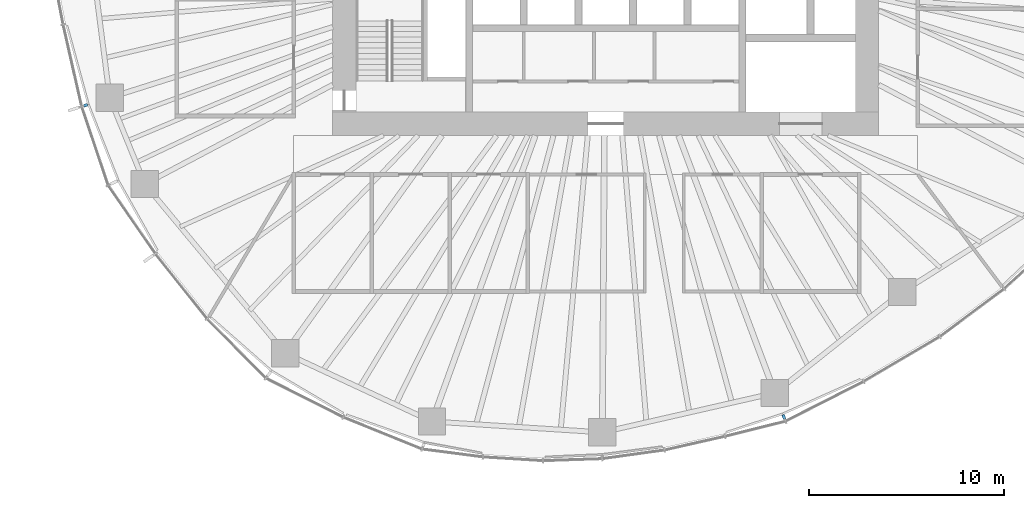
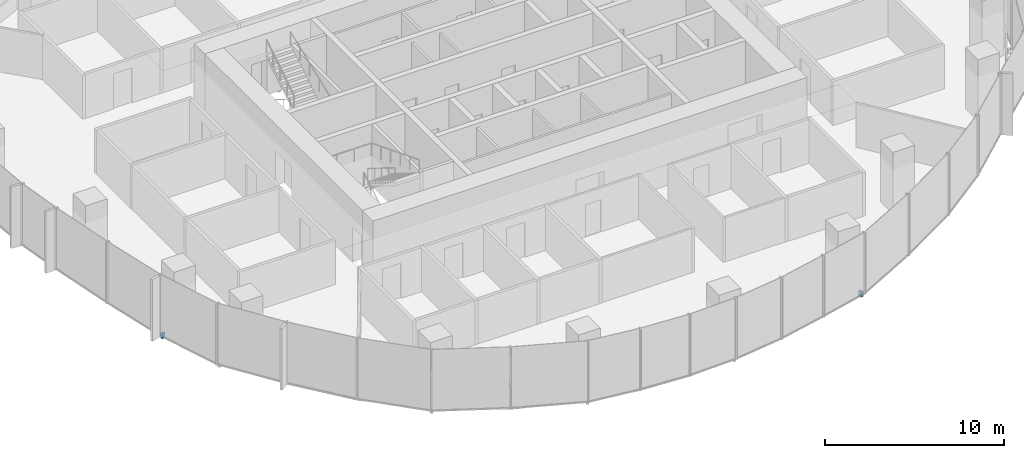
# One storey, part 13 of 18: 2 discrete accessories.
"""IFC4 building model written with IfcOpenShell, lengths in metres."""

from ifc_helpers import new_model, si_unit, direction, frame, origin, origin_2d, place, context, subcontext, project, spatial, rectangle, extrude, material, type_object, element, save


model = new_model("IFC4")

# Units and contexts
model_context = context("Model", 3, precision=1e-05, world=origin(), true_north=direction((0.0, 1.0)))
body_context = subcontext(model_context, "Body", "Model", "MODEL_VIEW")
ifc_project = project(units=[si_unit("LENGTHUNIT", "METRE"), si_unit("AREAUNIT", "SQUARE_METRE"), si_unit("VOLUMEUNIT", "CUBIC_METRE"), si_unit("PLANEANGLEUNIT", "RADIAN"), si_unit("MASSUNIT", "GRAM", prefix="KILO")], contexts=[model_context])

# Site, building, storey
site_placement = place(None, origin())
site = spatial("IfcSite", under=ifc_project, at=site_placement, CompositionType="ELEMENT")
building_placement = place(site_placement, origin())
building = spatial("IfcBuilding", under=site, at=building_placement, Name="Ghaith Harvest Tower", CompositionType="ELEMENT")
storey_placement = place(building_placement, frame((0.0, 0.0, 176.39990234375)))
storey = spatial("IfcBuildingStorey", under=building, at=storey_placement, Name="L38", CompositionType="ELEMENT", Elevation=176.39990234375)

# Discrete accessories
ifc_material_1 = material(Name="Stainless steel grade 1.4401", Category="steel")
discrete_accessory_type_1 = type_object("IfcDiscreteAccessoryType", Name="CURTAIN WALL BRACKET 205", PredefinedType="BRACKET", material=ifc_material_1)
discrete_accessory_1_placement = place(storey_placement, frame((-26.673095703125, -8.453125, -0.25), z_axis=(0.0, 0.0, 1.0), x_axis=(-0.953273219416, -0.302109531701, 0.0)))
element("IfcDiscreteAccessory", 1, at=discrete_accessory_1_placement, inside=storey, type_object=discrete_accessory_type_1, Name="CW-L bracket 1 bay 12 L38", PredefinedType="BRACKET", context=body_context, shape_type="SweptSolid", body=[
    extrude(rectangle(XDim=0.205078125, YDim=0.14990234375, at=origin_2d()), origin(), (0.0, 0.0, 1.0), 0.35009765625),
])
ifc_material_2 = material(Name="Stainless steel grade 1.4401", Category="steel")
discrete_accessory_type_2 = type_object("IfcDiscreteAccessoryType", Name="CURTAIN WALL BRACKET 245", PredefinedType="BRACKET", material=ifc_material_2)
discrete_accessory_2_placement = place(storey_placement, frame((9.135498046875, -24.436767578125, -0.25), z_axis=(0.0, 0.0, 1.0), x_axis=(0.35016769691, -0.93668702566, 0.0)))
element("IfcDiscreteAccessory", 2, at=discrete_accessory_2_placement, inside=storey, type_object=discrete_accessory_type_2, Name="CW-L bracket 1 bay 17 L38", PredefinedType="BRACKET", context=body_context, shape_type="SweptSolid", body=[
    extrude(rectangle(XDim=0.2451171875, YDim=0.14990234375, at=origin_2d()), origin(), (0.0, 0.0, 1.0), 0.35009765625),
])

save(model, "model.ifc")
